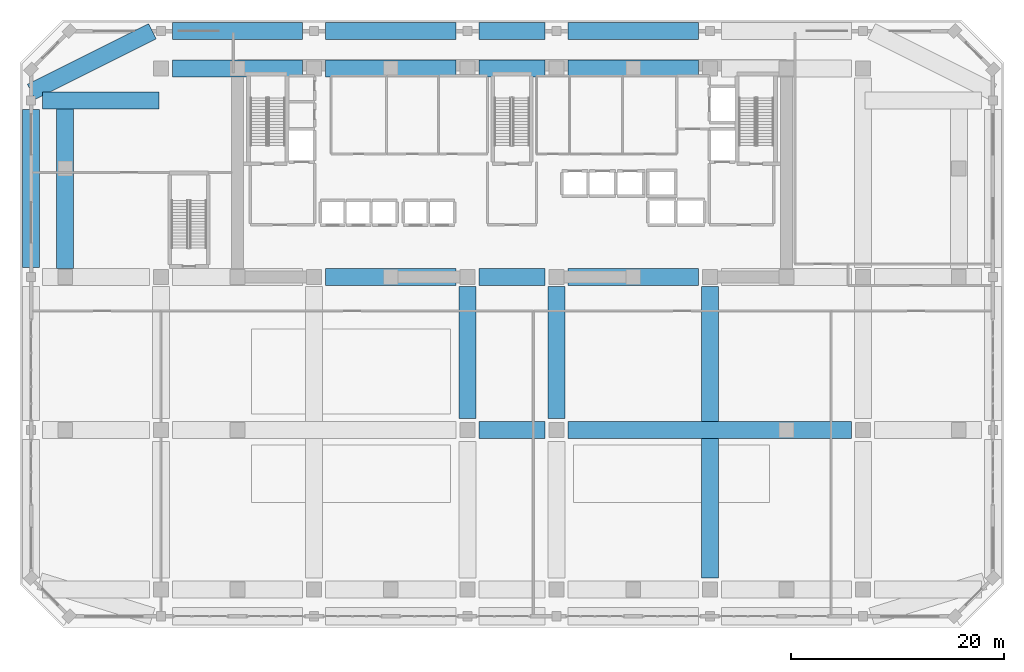
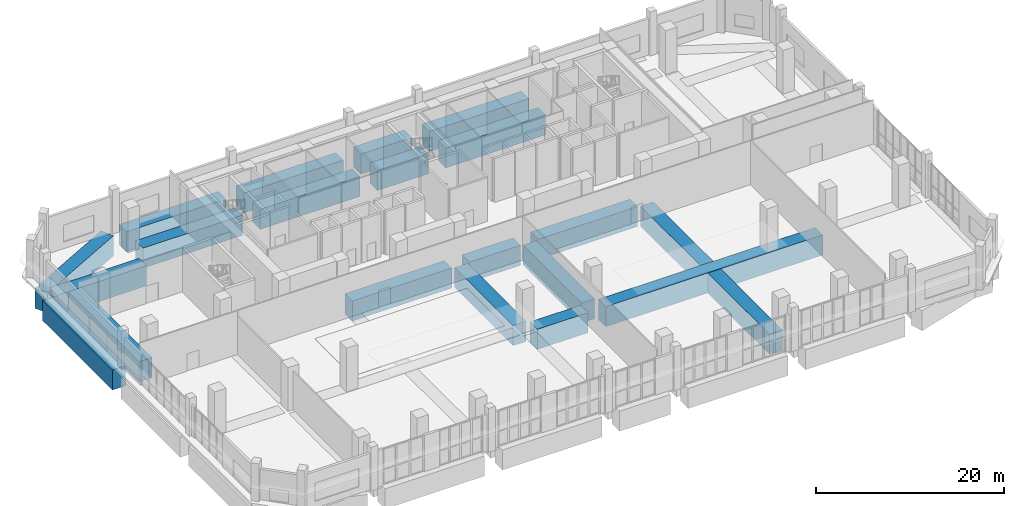
# One storey, part 10 of 25: 20 beams.
"""IFC4 building model written with IfcOpenShell, lengths in metres."""

from ifc_helpers import new_model, si_unit, direction, frame, origin, origin_2d, place, context, subcontext, project, spatial, rectangle, extrude, material, material_profile, profile_set, type_object, element, save


model = new_model("IFC4")

# Units and contexts
model_context = context("Model", 3, precision=1e-05, world=origin(), true_north=direction((0.0, 1.0)))
body_context = subcontext(model_context, "Body", "Model", "MODEL_VIEW")
ifc_project = project(units=[si_unit("LENGTHUNIT", "METRE"), si_unit("AREAUNIT", "SQUARE_METRE"), si_unit("VOLUMEUNIT", "CUBIC_METRE"), si_unit("PLANEANGLEUNIT", "RADIAN"), si_unit("MASSUNIT", "GRAM", prefix="KILO")], contexts=[model_context])

# Site, building, storey
site_placement = place(None, origin())
site = spatial("IfcSite", under=ifc_project, at=site_placement, CompositionType="ELEMENT")
building_placement = place(site_placement, origin())
building = spatial("IfcBuilding", under=site, at=building_placement, Name="Kaelvorn Grand Hotel", CompositionType="ELEMENT")
storey_placement = place(building_placement, frame((0.0, 0.0, 8.0)))
storey = spatial("IfcBuildingStorey", under=building, at=storey_placement, Name="L01", CompositionType="ELEMENT", Elevation=8.0)

# Beams
ifc_material = material(Name="Concrete C80/95", Category="concrete")
ifc_material_profile = material_profile(ifc_material, rectangle(XDim=1.60009765625, YDim=2.60009765625, at=origin_2d()), Name="RC TG 1600x2600")
ifc_profile_set = profile_set([ifc_material_profile], Name="Concrete C80/95")
beam_type = type_object("IfcBeamType", Name="BM-TG-1600x2600-C80", PredefinedType="USERDEFINED", material=ifc_profile_set)
beam_1_placement = place(storey_placement, frame((38.885009765625, 15.0, -1.300048828125), z_axis=(1.0, 0.0, 0.0), x_axis=(0.0, 1.0, 0.0)))
element("IfcBeam", 1, at=beam_1_placement, inside=storey, type_object=beam_type, Name="L01 Pilotis Transfer Girder TGX-M15 03", ObjectType="TRANSFER GIRDER", PredefinedType="USERDEFINED", context=body_context, shape_type="SweptSolid", body=[
    extrude(rectangle(XDim=1.60009765625, YDim=2.60009765625, at=origin_2d()), origin(), (0.0, 0.0, 1.0), 6.22998046875),
])
beam_2_placement = place(storey_placement, frame((47.284912109375, 15.0, -1.300048828125), z_axis=(1.0, 0.0, 0.0), x_axis=(0.0, 1.0, 0.0)))
element("IfcBeam", 2, at=beam_2_placement, inside=storey, type_object=beam_type, Name="L01 Pilotis Transfer Girder TGX-M15 04", ObjectType="TRANSFER GIRDER", PredefinedType="USERDEFINED", context=body_context, shape_type="SweptSolid", body=[
    extrude(rectangle(XDim=1.60009765625, YDim=2.60009765625, at=origin_2d()), origin(), (0.0, 0.0, 1.0), 26.630126953125),
])
beam_3_placement = place(storey_placement, frame((24.485107421875, 29.39990234375, -1.300048828125), z_axis=(1.0, 0.0, 0.0), x_axis=(0.0, 1.0, 0.0)))
element("IfcBeam", 3, at=beam_3_placement, inside=storey, type_object=beam_type, Name="L01 Pilotis Transfer Girder TGX-C29 03", ObjectType="TRANSFER GIRDER", PredefinedType="USERDEFINED", context=body_context, shape_type="SweptSolid", body=[
    extrude(rectangle(XDim=1.60009765625, YDim=2.60009765625, at=origin_2d()), origin(), (0.0, 0.0, 1.0), 12.22998046875),
])
beam_4_placement = place(storey_placement, frame((38.885009765625, 29.39990234375, -1.300048828125), z_axis=(1.0, 0.0, 0.0), x_axis=(0.0, 1.0, 0.0)))
element("IfcBeam", 4, at=beam_4_placement, inside=storey, type_object=beam_type, Name="L01 Pilotis Transfer Girder TGX-C29 04", ObjectType="TRANSFER GIRDER", PredefinedType="USERDEFINED", context=body_context, shape_type="SweptSolid", body=[
    extrude(rectangle(XDim=1.60009765625, YDim=2.60009765625, at=origin_2d()), origin(), (0.0, 0.0, 1.0), 6.22998046875),
])
beam_5_placement = place(storey_placement, frame((47.284912109375, 29.39990234375, -1.300048828125), z_axis=(1.0, 0.0, 0.0), x_axis=(0.0, 1.0, 0.0)))
element("IfcBeam", 5, at=beam_5_placement, inside=storey, type_object=beam_type, Name="L01 Pilotis Transfer Girder TGX-C29 05", ObjectType="TRANSFER GIRDER", PredefinedType="USERDEFINED", context=body_context, shape_type="SweptSolid", body=[
    extrude(rectangle(XDim=1.60009765625, YDim=2.60009765625, at=origin_2d()), origin(), (0.0, 0.0, 1.0), 12.22998046875),
])
beam_6_placement = place(storey_placement, frame((-2.114990234375, 46.0, -1.300048828125), z_axis=(1.0, 0.0, 0.0), x_axis=(0.0, 1.0, 0.0)))
element("IfcBeam", 6, at=beam_6_placement, inside=storey, type_object=beam_type, Name="L01 Pilotis Transfer Girder TGX-N46 01", ObjectType="TRANSFER GIRDER", PredefinedType="USERDEFINED", context=body_context, shape_type="SweptSolid", body=[
    extrude(rectangle(XDim=1.60009765625, YDim=2.60009765625, at=origin_2d()), origin(), (0.0, 0.0, 1.0), 10.929931640625),
])
for number, where, z_axis, x_axis, name in (
    (7, (10.0849609375, 49.0, -1.300048828125), (1.0, 0.0, 0.0), (0.0, 1.0, 0.0), "L01 Pilotis Transfer Girder TGX-N49 01"),
    (8, (24.485107421875, 49.0, -1.300048828125), (1.0, 0.0, 0.0), (0.0, 1.0, 0.0), "L01 Pilotis Transfer Girder TGX-N49 02"),
):
    element("IfcBeam", number, at=place(storey_placement, frame(where, z_axis=z_axis, x_axis=x_axis)), inside=storey, type_object=beam_type, Name=name, ObjectType="TRANSFER GIRDER", PredefinedType="USERDEFINED", context=body_context, shape_type="SweptSolid", body=[
        extrude(rectangle(XDim=1.60009765625, YDim=2.60009765625, at=origin_2d()), origin(), (0.0, 0.0, 1.0), 12.22998046875),
    ])
beam_7_placement = place(storey_placement, frame((38.885009765625, 49.0, -1.300048828125), z_axis=(1.0, 0.0, 0.0), x_axis=(0.0, 1.0, 0.0)))
element("IfcBeam", 9, at=beam_7_placement, inside=storey, type_object=beam_type, Name="L01 Pilotis Transfer Girder TGX-N49 03", ObjectType="TRANSFER GIRDER", PredefinedType="USERDEFINED", context=body_context, shape_type="SweptSolid", body=[
    extrude(rectangle(XDim=1.60009765625, YDim=2.60009765625, at=origin_2d()), origin(), (0.0, 0.0, 1.0), 6.22998046875),
])
for number, where, z_axis, x_axis, name in (
    (10, (47.284912109375, 49.0, -1.300048828125), (1.0, 0.0, 0.0), (0.0, 1.0, 0.0), "L01 Pilotis Transfer Girder TGX-N49 04"),
    (11, (10.0849609375, 52.5, -1.300048828125), (1.0, 0.0, 0.0), (0.0, 1.0, 0.0), "L01 Pilotis Transfer Girder TGX-N52 01"),
    (12, (24.485107421875, 52.5, -1.300048828125), (1.0, 0.0, 0.0), (0.0, 1.0, 0.0), "L01 Pilotis Transfer Girder TGX-N52 02"),
):
    element("IfcBeam", number, at=place(storey_placement, frame(where, z_axis=z_axis, x_axis=x_axis)), inside=storey, type_object=beam_type, Name=name, ObjectType="TRANSFER GIRDER", PredefinedType="USERDEFINED", context=body_context, shape_type="SweptSolid", body=[
        extrude(rectangle(XDim=1.60009765625, YDim=2.60009765625, at=origin_2d()), origin(), (0.0, 0.0, 1.0), 12.22998046875),
    ])
beam_8_placement = place(storey_placement, frame((38.885009765625, 52.5, -1.300048828125), z_axis=(1.0, 0.0, 0.0), x_axis=(0.0, 1.0, 0.0)))
element("IfcBeam", 13, at=beam_8_placement, inside=storey, type_object=beam_type, Name="L01 Pilotis Transfer Girder TGX-N52 03", ObjectType="TRANSFER GIRDER", PredefinedType="USERDEFINED", context=body_context, shape_type="SweptSolid", body=[
    extrude(rectangle(XDim=1.60009765625, YDim=2.60009765625, at=origin_2d()), origin(), (0.0, 0.0, 1.0), 6.22998046875),
])
beam_9_placement = place(storey_placement, frame((47.284912109375, 52.5, -1.300048828125), z_axis=(1.0, 0.0, 0.0), x_axis=(0.0, 1.0, 0.0)))
element("IfcBeam", 14, at=beam_9_placement, inside=storey, type_object=beam_type, Name="L01 Pilotis Transfer Girder TGX-N52 04", ObjectType="TRANSFER GIRDER", PredefinedType="USERDEFINED", context=body_context, shape_type="SweptSolid", body=[
    extrude(rectangle(XDim=1.60009765625, YDim=2.60009765625, at=origin_2d()), origin(), (0.0, 0.0, 1.0), 12.22998046875),
])
beam_10_placement = place(storey_placement, frame((-3.199951171875, 30.284912109375, -1.300048828125), z_axis=(0.0, 1.0, 0.0), x_axis=(-1.0, 0.0, 0.0)))
element("IfcBeam", 15, at=beam_10_placement, inside=storey, type_object=beam_type, Name="L01 Pilotis Transfer Girder TGY-W3 03", ObjectType="TRANSFER GIRDER", PredefinedType="USERDEFINED", context=body_context, shape_type="SweptSolid", body=[
    extrude(rectangle(XDim=1.60009765625, YDim=2.60009765625, at=origin_2d()), origin(), (0.0, 0.0, 1.0), 14.830078125),
])
for number, where, z_axis, x_axis, name in (
    (16, (37.800048828125, 16.0849609375, -1.300048828125), (0.0, 1.0, 0.0), (-1.0, 0.0, 0.0), "L01 Pilotis Transfer Girder TGY-X37 02"),
    (17, (46.199951171875, 16.0849609375, -1.300048828125), (0.0, 1.0, 0.0), (-1.0, 0.0, 0.0), "L01 Pilotis Transfer Girder TGY-X46 02"),
):
    element("IfcBeam", number, at=place(storey_placement, frame(where, z_axis=z_axis, x_axis=x_axis)), inside=storey, type_object=beam_type, Name=name, ObjectType="TRANSFER GIRDER", PredefinedType="USERDEFINED", context=body_context, shape_type="SweptSolid", body=[
        extrude(rectangle(XDim=1.60009765625, YDim=2.60009765625, at=origin_2d()), origin(), (0.0, 0.0, 1.0), 12.429931640625),
    ])
beam_11_placement = place(storey_placement, frame((60.60009765625, 1.0849609375, -1.300048828125), z_axis=(0.0, 1.0, 0.0), x_axis=(-1.0, 0.0, 0.0)))
element("IfcBeam", 18, at=beam_11_placement, inside=storey, type_object=beam_type, Name="L01 Pilotis Transfer Girder TGY-X60 01", ObjectType="TRANSFER GIRDER", PredefinedType="USERDEFINED", context=body_context, shape_type="SweptSolid", body=[
    extrude(rectangle(XDim=1.60009765625, YDim=2.60009765625, at=origin_2d()), origin(), (0.0, 0.0, 1.0), 27.429931640625),
])
beam_12_placement = place(storey_placement, frame((0.0, 30.179931640625, -1.300048828125), z_axis=(0.0, 1.0, 0.0), x_axis=(-1.0, 0.0, 0.0)))
element("IfcBeam", 19, at=beam_12_placement, inside=storey, type_object=beam_type, Name="L01 Wing Transfer Girder TW39", ObjectType="TRANSFER GIRDER", PredefinedType="USERDEFINED", context=body_context, shape_type="SweptSolid", body=[
    extrude(rectangle(XDim=1.60009765625, YDim=2.60009765625, at=origin_2d()), origin(), (0.0, 0.0, 1.0), 15.0400390625),
])
beam_13_placement = place(storey_placement, frame((8.199951171875, 52.5, -1.300048828125), z_axis=(-0.894427191, -0.4472135955, 0.0), x_axis=(0.4472135955, -0.894427191, 0.0)))
element("IfcBeam", 20, at=beam_13_placement, inside=storey, type_object=beam_type, Name="L01 Chamfer Corner Transfer Girder 4", ObjectType="TRANSFER GIRDER", PredefinedType="USERDEFINED", context=body_context, shape_type="SweptSolid", body=[
    extrude(rectangle(XDim=1.60009765625, YDim=2.60009765625, at=origin_2d()), origin(), (0.0, 0.0, 1.0), 12.745361328125),
])

save(model, "model.ifc")
